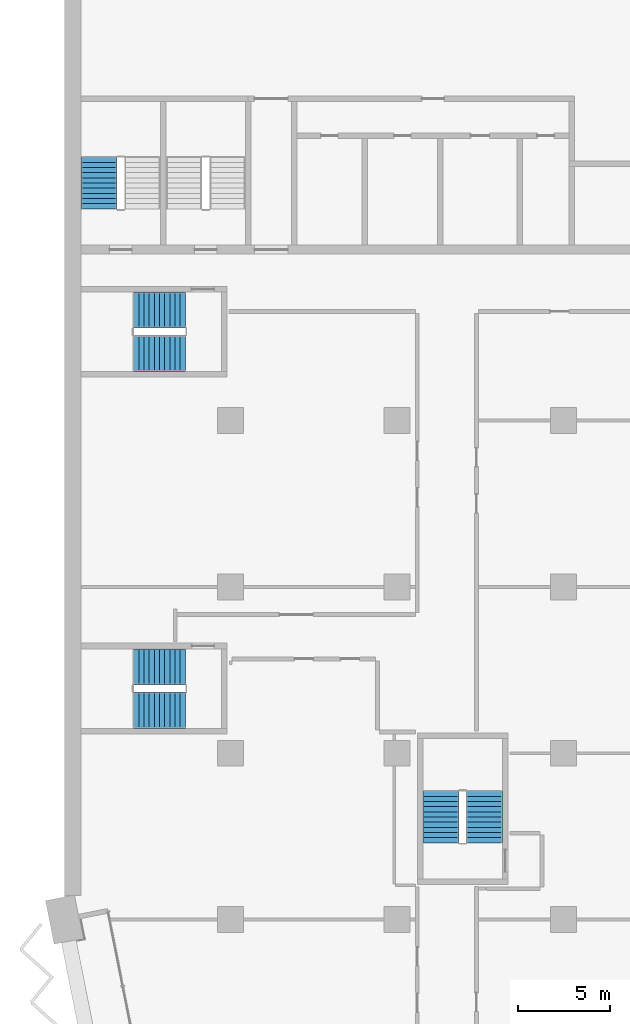
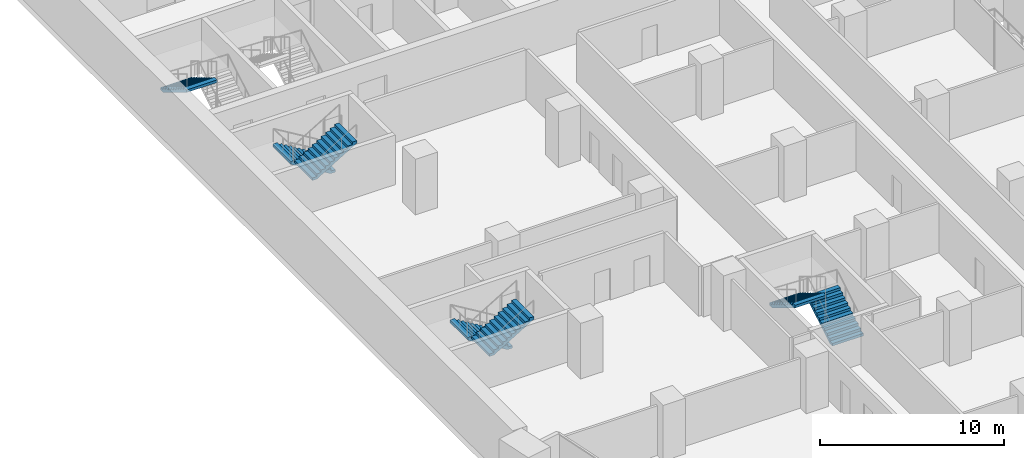
# One storey, part 20 of 29: 7 stair flights, 4 elements without a shape of their own.
"""IFC4 building model written with IfcOpenShell, lengths in metres."""

from ifc_helpers import new_model, si_unit, direction, frame, origin, place, context, subcontext, project, spatial, polyline, outline, extrude, material, type_object, element, aggregate, save


model = new_model("IFC4")

# Units and contexts
model_context = context("Model", 3, precision=1e-05, world=origin(), true_north=direction((0.0, 1.0)))
body_context = subcontext(model_context, "Body", "Model", "MODEL_VIEW")
ifc_project = project(units=[si_unit("LENGTHUNIT", "METRE"), si_unit("AREAUNIT", "SQUARE_METRE"), si_unit("VOLUMEUNIT", "CUBIC_METRE"), si_unit("PLANEANGLEUNIT", "RADIAN"), si_unit("MASSUNIT", "GRAM", prefix="KILO")], contexts=[model_context])

# Site, building, storey
site_placement = place(None, origin())
site = spatial("IfcSite", under=ifc_project, at=site_placement, CompositionType="ELEMENT")
building_placement = place(site_placement, origin())
building = spatial("IfcBuilding", under=site, at=building_placement, Name="Hunhe Ridgeline Campus", CompositionType="ELEMENT")
storey_placement = place(building_placement, frame((0.0, 0.0, 54.300048828125)))
storey = spatial("IfcBuildingStorey", under=building, at=storey_placement, Name="L12", CompositionType="ELEMENT", Elevation=54.300048828125)

# Stair, stair flight
ifc_material = material(Name="Concrete C40", Category="concrete")
stair_type = type_object("IfcStairType", Name="Reinforced concrete dog-leg stair 1950 Concrete C40", PredefinedType="HALF_TURN_STAIR", material=ifc_material)
stair_1_placement = place(storey_placement, origin())
stair_1 = element("IfcStair", 1, at=stair_1_placement, inside=storey, type_object=stair_type, Name="L12 S3", PredefinedType="HALF_TURN_STAIR")
stair_flight_type = type_object("IfcStairFlightType", Name="Reinforced concrete stair flight 1950 Concrete C40", PredefinedType="STRAIGHT", material=ifc_material)
stair_flight_1_placement = place(storey_placement, frame((1.875, 68.25, 1.849853515625), z_axis=(0.0, 0.0, 1.0), x_axis=(0.0, -1.0, 0.0)))
stair_flight_1 = element("IfcStairFlight", 2, at=stair_flight_1_placement, type_object=stair_flight_type, Name="ST3 flight 2", NumberOfRisers=11, NumberOfTreads=10, PredefinedType="STRAIGHT", RiserHeight=0.168181818, TreadLength=0.28, context=body_context, shape_type="SweptSolid", body=[
    extrude(outline(polyline([(0.0, 0.0), (0.0, 0.168212890625), (0.280029296875, 0.168212890625), (0.280029296875, 0.33642578125), (0.56005859375, 0.33642578125), (0.56005859375, 0.504638671875), (0.840087890625, 0.504638671875), (0.840087890625, 0.672607421875), (1.1201171875, 0.672607421875), (1.1201171875, 0.8408203125), (1.39990234375, 0.8408203125), (1.39990234375, 1.009033203125), (1.679931640625, 1.009033203125), (1.679931640625, 1.17724609375), (1.9599609375, 1.17724609375), (1.9599609375, 1.345458984375), (2.239990234375, 1.345458984375), (2.239990234375, 1.513671875), (2.52001953125, 1.513671875), (2.52001953125, 1.681884765625), (2.800048828125, 1.681884765625), (2.800048828125, 1.85009765625), (2.800048828125, 1.5068359375), (0.291015625, 0.0), (0.0, 0.0)])), frame((0.0, 0.97509765625, 0.0), z_axis=(0.0, -1.0, 0.0), x_axis=(1.0, 0.0, 0.0)), (0.0, 0.0, 1.0), 1.949951171875),
    extrude(outline(polyline([(0.030029296875, 0.030029296875), (0.030029296875, 0.13818359375), (0.31005859375, 0.13818359375), (0.31005859375, 0.306396484375), (0.590087890625, 0.306396484375), (0.590087890625, 0.474609375), (0.8701171875, 0.474609375), (0.8701171875, 0.642578125), (1.14990234375, 0.642578125), (1.14990234375, 0.810791015625), (1.429931640625, 0.810791015625), (1.429931640625, 0.97900390625), (1.7099609375, 0.97900390625), (1.7099609375, 1.147216796875), (1.989990234375, 1.147216796875), (1.989990234375, 1.3154296875), (2.27001953125, 1.3154296875), (2.27001953125, 1.483642578125), (2.550048828125, 1.483642578125), (2.550048828125, 1.65185546875), (2.77001953125, 1.65185546875), (2.77001953125, 1.52392578125), (0.28271484375, 0.030029296875), (0.030029296875, 0.030029296875)])), frame((0.0, -0.070068359375, 0.0), z_axis=(0.0, -1.0, 0.0), x_axis=(1.0, 0.0, 0.0)), (0.0, 0.0, 1.0), 0.019775390625),
    extrude(outline(polyline([(0.030029296875, 0.030029296875), (0.030029296875, 0.13818359375), (0.31005859375, 0.13818359375), (0.31005859375, 0.306396484375), (0.590087890625, 0.306396484375), (0.590087890625, 0.474609375), (0.8701171875, 0.474609375), (0.8701171875, 0.642578125), (1.14990234375, 0.642578125), (1.14990234375, 0.810791015625), (1.429931640625, 0.810791015625), (1.429931640625, 0.97900390625), (1.7099609375, 0.97900390625), (1.7099609375, 1.147216796875), (1.989990234375, 1.147216796875), (1.989990234375, 1.3154296875), (2.27001953125, 1.3154296875), (2.27001953125, 1.483642578125), (2.550048828125, 1.483642578125), (2.550048828125, 1.65185546875), (2.77001953125, 1.65185546875), (2.77001953125, 1.52392578125), (0.28271484375, 0.030029296875), (0.030029296875, 0.030029296875)])), frame((0.0, 0.010009765625, 0.0), z_axis=(0.0, -1.0, 0.0), x_axis=(1.0, 0.0, 0.0)), (0.0, 0.0, 1.0), 0.019775390625),
    extrude(outline(polyline([(0.030029296875, 0.030029296875), (0.030029296875, 0.13818359375), (0.31005859375, 0.13818359375), (0.31005859375, 0.306396484375), (0.590087890625, 0.306396484375), (0.590087890625, 0.474609375), (0.8701171875, 0.474609375), (0.8701171875, 0.642578125), (1.14990234375, 0.642578125), (1.14990234375, 0.810791015625), (1.429931640625, 0.810791015625), (1.429931640625, 0.97900390625), (1.7099609375, 0.97900390625), (1.7099609375, 1.147216796875), (1.989990234375, 1.147216796875), (1.989990234375, 1.3154296875), (2.27001953125, 1.3154296875), (2.27001953125, 1.483642578125), (2.550048828125, 1.483642578125), (2.550048828125, 1.65185546875), (2.77001953125, 1.65185546875), (2.77001953125, 1.52392578125), (0.28271484375, 0.030029296875), (0.030029296875, 0.030029296875)])), frame((0.0, 0.090087890625, 0.0), z_axis=(0.0, -1.0, 0.0), x_axis=(1.0, 0.0, 0.0)), (0.0, 0.0, 1.0), 0.019775390625),
])
aggregate(stair_1, [stair_flight_1])

# Stair, stair flights
stair_2_placement = place(storey_placement, origin())
stair_2 = element("IfcStair", 3, at=stair_2_placement, inside=storey, type_object=stair_type, Name="L12 W3", PredefinedType="HALF_TURN_STAIR")
stair_flight_2_placement = place(storey_placement, frame((22.72509765625, 31.14990234375, 0.0), z_axis=(0.0, 0.0, 1.0), x_axis=(0.0, 1.0, 0.0)))
stair_flight_2 = element("IfcStairFlight", 4, at=stair_flight_2_placement, type_object=stair_flight_type, Name="ST9 flight 1", NumberOfRisers=11, NumberOfTreads=10, PredefinedType="STRAIGHT", RiserHeight=0.168181818, TreadLength=0.28, context=body_context, shape_type="SweptSolid", body=[
    extrude(outline(polyline([(0.0, 0.0), (0.0, 0.168212890625), (0.280029296875, 0.168212890625), (0.280029296875, 0.33642578125), (0.56005859375, 0.33642578125), (0.56005859375, 0.504638671875), (0.840087890625, 0.504638671875), (0.840087890625, 0.672607421875), (1.1201171875, 0.672607421875), (1.1201171875, 0.8408203125), (1.39990234375, 0.8408203125), (1.39990234375, 1.009033203125), (1.679931640625, 1.009033203125), (1.679931640625, 1.17724609375), (1.9599609375, 1.17724609375), (1.9599609375, 1.345458984375), (2.239990234375, 1.345458984375), (2.239990234375, 1.513671875), (2.52001953125, 1.513671875), (2.52001953125, 1.681884765625), (2.800048828125, 1.681884765625), (2.800048828125, 1.85009765625), (2.800048828125, 1.5068359375), (0.291015625, 0.0), (0.0, 0.0)])), frame((0.0, 0.97509765625, 0.0), z_axis=(0.0, -1.0, 0.0), x_axis=(1.0, 0.0, 0.0)), (0.0, 0.0, 1.0), 1.949951171875),
    extrude(outline(polyline([(0.030029296875, 0.030029296875), (0.030029296875, 0.13818359375), (0.31005859375, 0.13818359375), (0.31005859375, 0.306396484375), (0.590087890625, 0.306396484375), (0.590087890625, 0.474609375), (0.8701171875, 0.474609375), (0.8701171875, 0.642578125), (1.14990234375, 0.642578125), (1.14990234375, 0.810791015625), (1.429931640625, 0.810791015625), (1.429931640625, 0.97900390625), (1.7099609375, 0.97900390625), (1.7099609375, 1.147216796875), (1.989990234375, 1.147216796875), (1.989990234375, 1.3154296875), (2.27001953125, 1.3154296875), (2.27001953125, 1.483642578125), (2.550048828125, 1.483642578125), (2.550048828125, 1.65185546875), (2.77001953125, 1.65185546875), (2.77001953125, 1.52392578125), (0.28271484375, 0.030029296875), (0.030029296875, 0.030029296875)])), frame((0.0, -0.070068359375, 0.0), z_axis=(0.0, -1.0, 0.0), x_axis=(1.0, 0.0, 0.0)), (0.0, 0.0, 1.0), 0.019775390625),
    extrude(outline(polyline([(0.030029296875, 0.030029296875), (0.030029296875, 0.13818359375), (0.31005859375, 0.13818359375), (0.31005859375, 0.306396484375), (0.590087890625, 0.306396484375), (0.590087890625, 0.474609375), (0.8701171875, 0.474609375), (0.8701171875, 0.642578125), (1.14990234375, 0.642578125), (1.14990234375, 0.810791015625), (1.429931640625, 0.810791015625), (1.429931640625, 0.97900390625), (1.7099609375, 0.97900390625), (1.7099609375, 1.147216796875), (1.989990234375, 1.147216796875), (1.989990234375, 1.3154296875), (2.27001953125, 1.3154296875), (2.27001953125, 1.483642578125), (2.550048828125, 1.483642578125), (2.550048828125, 1.65185546875), (2.77001953125, 1.65185546875), (2.77001953125, 1.52392578125), (0.28271484375, 0.030029296875), (0.030029296875, 0.030029296875)])), frame((0.0, 0.010009765625, 0.0), z_axis=(0.0, -1.0, 0.0), x_axis=(1.0, 0.0, 0.0)), (0.0, 0.0, 1.0), 0.019775390625),
    extrude(outline(polyline([(0.030029296875, 0.030029296875), (0.030029296875, 0.13818359375), (0.31005859375, 0.13818359375), (0.31005859375, 0.306396484375), (0.590087890625, 0.306396484375), (0.590087890625, 0.474609375), (0.8701171875, 0.474609375), (0.8701171875, 0.642578125), (1.14990234375, 0.642578125), (1.14990234375, 0.810791015625), (1.429931640625, 0.810791015625), (1.429931640625, 0.97900390625), (1.7099609375, 0.97900390625), (1.7099609375, 1.147216796875), (1.989990234375, 1.147216796875), (1.989990234375, 1.3154296875), (2.27001953125, 1.3154296875), (2.27001953125, 1.483642578125), (2.550048828125, 1.483642578125), (2.550048828125, 1.65185546875), (2.77001953125, 1.65185546875), (2.77001953125, 1.52392578125), (0.28271484375, 0.030029296875), (0.030029296875, 0.030029296875)])), frame((0.0, 0.090087890625, 0.0), z_axis=(0.0, -1.0, 0.0), x_axis=(1.0, 0.0, 0.0)), (0.0, 0.0, 1.0), 0.019775390625),
])
stair_flight_3_placement = place(storey_placement, frame((20.375, 33.949951171875, 1.849853515625), z_axis=(0.0, 0.0, 1.0), x_axis=(0.0, -1.0, 0.0)))
stair_flight_3 = element("IfcStairFlight", 5, at=stair_flight_3_placement, type_object=stair_flight_type, Name="ST9 flight 2", NumberOfRisers=11, NumberOfTreads=10, PredefinedType="STRAIGHT", RiserHeight=0.168181818, TreadLength=0.28, context=body_context, shape_type="SweptSolid", body=[
    extrude(outline(polyline([(0.0, 0.0), (0.0, 0.168212890625), (0.280029296875, 0.168212890625), (0.280029296875, 0.33642578125), (0.56005859375, 0.33642578125), (0.56005859375, 0.504638671875), (0.840087890625, 0.504638671875), (0.840087890625, 0.672607421875), (1.1201171875, 0.672607421875), (1.1201171875, 0.8408203125), (1.39990234375, 0.8408203125), (1.39990234375, 1.009033203125), (1.679931640625, 1.009033203125), (1.679931640625, 1.17724609375), (1.9599609375, 1.17724609375), (1.9599609375, 1.345458984375), (2.239990234375, 1.345458984375), (2.239990234375, 1.513671875), (2.52001953125, 1.513671875), (2.52001953125, 1.681884765625), (2.800048828125, 1.681884765625), (2.800048828125, 1.85009765625), (2.800048828125, 1.5068359375), (0.291015625, 0.0), (0.0, 0.0)])), frame((0.0, 0.97509765625, 0.0), z_axis=(0.0, -1.0, 0.0), x_axis=(1.0, 0.0, 0.0)), (0.0, 0.0, 1.0), 1.949951171875),
    extrude(outline(polyline([(0.030029296875, 0.030029296875), (0.030029296875, 0.13818359375), (0.31005859375, 0.13818359375), (0.31005859375, 0.306396484375), (0.590087890625, 0.306396484375), (0.590087890625, 0.474609375), (0.8701171875, 0.474609375), (0.8701171875, 0.642578125), (1.14990234375, 0.642578125), (1.14990234375, 0.810791015625), (1.429931640625, 0.810791015625), (1.429931640625, 0.97900390625), (1.7099609375, 0.97900390625), (1.7099609375, 1.147216796875), (1.989990234375, 1.147216796875), (1.989990234375, 1.3154296875), (2.27001953125, 1.3154296875), (2.27001953125, 1.483642578125), (2.550048828125, 1.483642578125), (2.550048828125, 1.65185546875), (2.77001953125, 1.65185546875), (2.77001953125, 1.52392578125), (0.28271484375, 0.030029296875), (0.030029296875, 0.030029296875)])), frame((0.0, -0.070068359375, 0.0), z_axis=(0.0, -1.0, 0.0), x_axis=(1.0, 0.0, 0.0)), (0.0, 0.0, 1.0), 0.019775390625),
    extrude(outline(polyline([(0.030029296875, 0.030029296875), (0.030029296875, 0.13818359375), (0.31005859375, 0.13818359375), (0.31005859375, 0.306396484375), (0.590087890625, 0.306396484375), (0.590087890625, 0.474609375), (0.8701171875, 0.474609375), (0.8701171875, 0.642578125), (1.14990234375, 0.642578125), (1.14990234375, 0.810791015625), (1.429931640625, 0.810791015625), (1.429931640625, 0.97900390625), (1.7099609375, 0.97900390625), (1.7099609375, 1.147216796875), (1.989990234375, 1.147216796875), (1.989990234375, 1.3154296875), (2.27001953125, 1.3154296875), (2.27001953125, 1.483642578125), (2.550048828125, 1.483642578125), (2.550048828125, 1.65185546875), (2.77001953125, 1.65185546875), (2.77001953125, 1.52392578125), (0.28271484375, 0.030029296875), (0.030029296875, 0.030029296875)])), frame((0.0, 0.010009765625, 0.0), z_axis=(0.0, -1.0, 0.0), x_axis=(1.0, 0.0, 0.0)), (0.0, 0.0, 1.0), 0.019775390625),
    extrude(outline(polyline([(0.030029296875, 0.030029296875), (0.030029296875, 0.13818359375), (0.31005859375, 0.13818359375), (0.31005859375, 0.306396484375), (0.590087890625, 0.306396484375), (0.590087890625, 0.474609375), (0.8701171875, 0.474609375), (0.8701171875, 0.642578125), (1.14990234375, 0.642578125), (1.14990234375, 0.810791015625), (1.429931640625, 0.810791015625), (1.429931640625, 0.97900390625), (1.7099609375, 0.97900390625), (1.7099609375, 1.147216796875), (1.989990234375, 1.147216796875), (1.989990234375, 1.3154296875), (2.27001953125, 1.3154296875), (2.27001953125, 1.483642578125), (2.550048828125, 1.483642578125), (2.550048828125, 1.65185546875), (2.77001953125, 1.65185546875), (2.77001953125, 1.52392578125), (0.28271484375, 0.030029296875), (0.030029296875, 0.030029296875)])), frame((0.0, 0.090087890625, 0.0), z_axis=(0.0, -1.0, 0.0), x_axis=(1.0, 0.0, 0.0)), (0.0, 0.0, 1.0), 0.019775390625),
])
aggregate(stair_2, [stair_flight_2, stair_flight_3])

stair_3_placement = place(storey_placement, origin())
stair_3 = element("IfcStair", 6, at=stair_3_placement, inside=storey, type_object=stair_type, Name="L12 W1", PredefinedType="HALF_TURN_STAIR")
stair_flight_4_placement = place(storey_placement, frame((6.550048828125, 40.675048828125, 0.0), z_axis=(0.0, 0.0, 1.0), x_axis=(-1.0, 0.0, 0.0)))
stair_flight_4 = element("IfcStairFlight", 7, at=stair_flight_4_placement, type_object=stair_flight_type, Name="ST11 flight 1", NumberOfRisers=11, NumberOfTreads=10, PredefinedType="STRAIGHT", RiserHeight=0.168181818, TreadLength=0.28, context=body_context, shape_type="SweptSolid", body=[
    extrude(outline(polyline([(0.0, 0.0), (0.0, 0.168212890625), (0.280029296875, 0.168212890625), (0.280029296875, 0.33642578125), (0.56005859375, 0.33642578125), (0.56005859375, 0.504638671875), (0.840087890625, 0.504638671875), (0.840087890625, 0.672607421875), (1.1201171875, 0.672607421875), (1.1201171875, 0.8408203125), (1.39990234375, 0.8408203125), (1.39990234375, 1.009033203125), (1.679931640625, 1.009033203125), (1.679931640625, 1.17724609375), (1.9599609375, 1.17724609375), (1.9599609375, 1.345458984375), (2.239990234375, 1.345458984375), (2.239990234375, 1.513671875), (2.52001953125, 1.513671875), (2.52001953125, 1.681884765625), (2.800048828125, 1.681884765625), (2.800048828125, 1.85009765625), (2.800048828125, 1.5068359375), (0.291015625, 0.0), (0.0, 0.0)])), frame((0.0, 0.97509765625, 0.0), z_axis=(0.0, -1.0, 0.0), x_axis=(1.0, 0.0, 0.0)), (0.0, 0.0, 1.0), 1.949951171875),
    extrude(outline(polyline([(0.030029296875, 0.030029296875), (0.030029296875, 0.13818359375), (0.31005859375, 0.13818359375), (0.31005859375, 0.306396484375), (0.590087890625, 0.306396484375), (0.590087890625, 0.474609375), (0.8701171875, 0.474609375), (0.8701171875, 0.642578125), (1.14990234375, 0.642578125), (1.14990234375, 0.810791015625), (1.429931640625, 0.810791015625), (1.429931640625, 0.97900390625), (1.7099609375, 0.97900390625), (1.7099609375, 1.147216796875), (1.989990234375, 1.147216796875), (1.989990234375, 1.3154296875), (2.27001953125, 1.3154296875), (2.27001953125, 1.483642578125), (2.550048828125, 1.483642578125), (2.550048828125, 1.65185546875), (2.77001953125, 1.65185546875), (2.77001953125, 1.52392578125), (0.28271484375, 0.030029296875), (0.030029296875, 0.030029296875)])), frame((0.0, -0.070068359375, 0.0), z_axis=(0.0, -1.0, 0.0), x_axis=(1.0, 0.0, 0.0)), (0.0, 0.0, 1.0), 0.019775390625),
    extrude(outline(polyline([(0.030029296875, 0.030029296875), (0.030029296875, 0.13818359375), (0.31005859375, 0.13818359375), (0.31005859375, 0.306396484375), (0.590087890625, 0.306396484375), (0.590087890625, 0.474609375), (0.8701171875, 0.474609375), (0.8701171875, 0.642578125), (1.14990234375, 0.642578125), (1.14990234375, 0.810791015625), (1.429931640625, 0.810791015625), (1.429931640625, 0.97900390625), (1.7099609375, 0.97900390625), (1.7099609375, 1.147216796875), (1.989990234375, 1.147216796875), (1.989990234375, 1.3154296875), (2.27001953125, 1.3154296875), (2.27001953125, 1.483642578125), (2.550048828125, 1.483642578125), (2.550048828125, 1.65185546875), (2.77001953125, 1.65185546875), (2.77001953125, 1.52392578125), (0.28271484375, 0.030029296875), (0.030029296875, 0.030029296875)])), frame((0.0, 0.010009765625, 0.0), z_axis=(0.0, -1.0, 0.0), x_axis=(1.0, 0.0, 0.0)), (0.0, 0.0, 1.0), 0.019775390625),
    extrude(outline(polyline([(0.030029296875, 0.030029296875), (0.030029296875, 0.13818359375), (0.31005859375, 0.13818359375), (0.31005859375, 0.306396484375), (0.590087890625, 0.306396484375), (0.590087890625, 0.474609375), (0.8701171875, 0.474609375), (0.8701171875, 0.642578125), (1.14990234375, 0.642578125), (1.14990234375, 0.810791015625), (1.429931640625, 0.810791015625), (1.429931640625, 0.97900390625), (1.7099609375, 0.97900390625), (1.7099609375, 1.147216796875), (1.989990234375, 1.147216796875), (1.989990234375, 1.3154296875), (2.27001953125, 1.3154296875), (2.27001953125, 1.483642578125), (2.550048828125, 1.483642578125), (2.550048828125, 1.65185546875), (2.77001953125, 1.65185546875), (2.77001953125, 1.52392578125), (0.28271484375, 0.030029296875), (0.030029296875, 0.030029296875)])), frame((0.0, 0.090087890625, 0.0), z_axis=(0.0, -1.0, 0.0), x_axis=(1.0, 0.0, 0.0)), (0.0, 0.0, 1.0), 0.019775390625),
])
stair_flight_5_placement = place(storey_placement, frame((3.75, 38.324951171875, 1.849853515625), z_axis=(0.0, 0.0, 1.0), x_axis=(1.0, 0.0, 0.0)))
stair_flight_5 = element("IfcStairFlight", 8, at=stair_flight_5_placement, type_object=stair_flight_type, Name="ST11 flight 2", NumberOfRisers=11, NumberOfTreads=10, PredefinedType="STRAIGHT", RiserHeight=0.168181818, TreadLength=0.28, context=body_context, shape_type="SweptSolid", body=[
    extrude(outline(polyline([(0.0, 0.0), (0.0, 0.168212890625), (0.280029296875, 0.168212890625), (0.280029296875, 0.33642578125), (0.56005859375, 0.33642578125), (0.56005859375, 0.504638671875), (0.840087890625, 0.504638671875), (0.840087890625, 0.672607421875), (1.1201171875, 0.672607421875), (1.1201171875, 0.8408203125), (1.39990234375, 0.8408203125), (1.39990234375, 1.009033203125), (1.679931640625, 1.009033203125), (1.679931640625, 1.17724609375), (1.9599609375, 1.17724609375), (1.9599609375, 1.345458984375), (2.239990234375, 1.345458984375), (2.239990234375, 1.513671875), (2.52001953125, 1.513671875), (2.52001953125, 1.681884765625), (2.800048828125, 1.681884765625), (2.800048828125, 1.85009765625), (2.800048828125, 1.5068359375), (0.291015625, 0.0), (0.0, 0.0)])), frame((0.0, 0.97509765625, 0.0), z_axis=(0.0, -1.0, 0.0), x_axis=(1.0, 0.0, 0.0)), (0.0, 0.0, 1.0), 1.949951171875),
    extrude(outline(polyline([(0.030029296875, 0.030029296875), (0.030029296875, 0.13818359375), (0.31005859375, 0.13818359375), (0.31005859375, 0.306396484375), (0.590087890625, 0.306396484375), (0.590087890625, 0.474609375), (0.8701171875, 0.474609375), (0.8701171875, 0.642578125), (1.14990234375, 0.642578125), (1.14990234375, 0.810791015625), (1.429931640625, 0.810791015625), (1.429931640625, 0.97900390625), (1.7099609375, 0.97900390625), (1.7099609375, 1.147216796875), (1.989990234375, 1.147216796875), (1.989990234375, 1.3154296875), (2.27001953125, 1.3154296875), (2.27001953125, 1.483642578125), (2.550048828125, 1.483642578125), (2.550048828125, 1.65185546875), (2.77001953125, 1.65185546875), (2.77001953125, 1.52392578125), (0.28271484375, 0.030029296875), (0.030029296875, 0.030029296875)])), frame((0.0, -0.070068359375, 0.0), z_axis=(0.0, -1.0, 0.0), x_axis=(1.0, 0.0, 0.0)), (0.0, 0.0, 1.0), 0.019775390625),
    extrude(outline(polyline([(0.030029296875, 0.030029296875), (0.030029296875, 0.13818359375), (0.31005859375, 0.13818359375), (0.31005859375, 0.306396484375), (0.590087890625, 0.306396484375), (0.590087890625, 0.474609375), (0.8701171875, 0.474609375), (0.8701171875, 0.642578125), (1.14990234375, 0.642578125), (1.14990234375, 0.810791015625), (1.429931640625, 0.810791015625), (1.429931640625, 0.97900390625), (1.7099609375, 0.97900390625), (1.7099609375, 1.147216796875), (1.989990234375, 1.147216796875), (1.989990234375, 1.3154296875), (2.27001953125, 1.3154296875), (2.27001953125, 1.483642578125), (2.550048828125, 1.483642578125), (2.550048828125, 1.65185546875), (2.77001953125, 1.65185546875), (2.77001953125, 1.52392578125), (0.28271484375, 0.030029296875), (0.030029296875, 0.030029296875)])), frame((0.0, 0.010009765625, 0.0), z_axis=(0.0, -1.0, 0.0), x_axis=(1.0, 0.0, 0.0)), (0.0, 0.0, 1.0), 0.019775390625),
    extrude(outline(polyline([(0.030029296875, 0.030029296875), (0.030029296875, 0.13818359375), (0.31005859375, 0.13818359375), (0.31005859375, 0.306396484375), (0.590087890625, 0.306396484375), (0.590087890625, 0.474609375), (0.8701171875, 0.474609375), (0.8701171875, 0.642578125), (1.14990234375, 0.642578125), (1.14990234375, 0.810791015625), (1.429931640625, 0.810791015625), (1.429931640625, 0.97900390625), (1.7099609375, 0.97900390625), (1.7099609375, 1.147216796875), (1.989990234375, 1.147216796875), (1.989990234375, 1.3154296875), (2.27001953125, 1.3154296875), (2.27001953125, 1.483642578125), (2.550048828125, 1.483642578125), (2.550048828125, 1.65185546875), (2.77001953125, 1.65185546875), (2.77001953125, 1.52392578125), (0.28271484375, 0.030029296875), (0.030029296875, 0.030029296875)])), frame((0.0, 0.090087890625, 0.0), z_axis=(0.0, -1.0, 0.0), x_axis=(1.0, 0.0, 0.0)), (0.0, 0.0, 1.0), 0.019775390625),
])
aggregate(stair_3, [stair_flight_4, stair_flight_5])

stair_4_placement = place(storey_placement, origin())
stair_4 = element("IfcStair", 9, at=stair_4_placement, inside=storey, type_object=stair_type, Name="L12 W2", PredefinedType="HALF_TURN_STAIR")
stair_flight_6_placement = place(storey_placement, frame((6.550048828125, 59.97509765625, 0.0), z_axis=(0.0, 0.0, 1.0), x_axis=(-1.0, 0.0, 0.0)))
stair_flight_6 = element("IfcStairFlight", 10, at=stair_flight_6_placement, type_object=stair_flight_type, Name="ST12 flight 1", NumberOfRisers=11, NumberOfTreads=10, PredefinedType="STRAIGHT", RiserHeight=0.168181818, TreadLength=0.28, context=body_context, shape_type="SweptSolid", body=[
    extrude(outline(polyline([(0.0, 0.0), (0.0, 0.168212890625), (0.280029296875, 0.168212890625), (0.280029296875, 0.33642578125), (0.56005859375, 0.33642578125), (0.56005859375, 0.504638671875), (0.840087890625, 0.504638671875), (0.840087890625, 0.672607421875), (1.1201171875, 0.672607421875), (1.1201171875, 0.8408203125), (1.39990234375, 0.8408203125), (1.39990234375, 1.009033203125), (1.679931640625, 1.009033203125), (1.679931640625, 1.17724609375), (1.9599609375, 1.17724609375), (1.9599609375, 1.345458984375), (2.239990234375, 1.345458984375), (2.239990234375, 1.513671875), (2.52001953125, 1.513671875), (2.52001953125, 1.681884765625), (2.800048828125, 1.681884765625), (2.800048828125, 1.85009765625), (2.800048828125, 1.5068359375), (0.291015625, 0.0), (0.0, 0.0)])), frame((0.0, 0.97509765625, 0.0), z_axis=(0.0, -1.0, 0.0), x_axis=(1.0, 0.0, 0.0)), (0.0, 0.0, 1.0), 1.949951171875),
    extrude(outline(polyline([(0.030029296875, 0.030029296875), (0.030029296875, 0.13818359375), (0.31005859375, 0.13818359375), (0.31005859375, 0.306396484375), (0.590087890625, 0.306396484375), (0.590087890625, 0.474609375), (0.8701171875, 0.474609375), (0.8701171875, 0.642578125), (1.14990234375, 0.642578125), (1.14990234375, 0.810791015625), (1.429931640625, 0.810791015625), (1.429931640625, 0.97900390625), (1.7099609375, 0.97900390625), (1.7099609375, 1.147216796875), (1.989990234375, 1.147216796875), (1.989990234375, 1.3154296875), (2.27001953125, 1.3154296875), (2.27001953125, 1.483642578125), (2.550048828125, 1.483642578125), (2.550048828125, 1.65185546875), (2.77001953125, 1.65185546875), (2.77001953125, 1.52392578125), (0.28271484375, 0.030029296875), (0.030029296875, 0.030029296875)])), frame((0.0, -0.070068359375, 0.0), z_axis=(0.0, -1.0, 0.0), x_axis=(1.0, 0.0, 0.0)), (0.0, 0.0, 1.0), 0.019775390625),
    extrude(outline(polyline([(0.030029296875, 0.030029296875), (0.030029296875, 0.13818359375), (0.31005859375, 0.13818359375), (0.31005859375, 0.306396484375), (0.590087890625, 0.306396484375), (0.590087890625, 0.474609375), (0.8701171875, 0.474609375), (0.8701171875, 0.642578125), (1.14990234375, 0.642578125), (1.14990234375, 0.810791015625), (1.429931640625, 0.810791015625), (1.429931640625, 0.97900390625), (1.7099609375, 0.97900390625), (1.7099609375, 1.147216796875), (1.989990234375, 1.147216796875), (1.989990234375, 1.3154296875), (2.27001953125, 1.3154296875), (2.27001953125, 1.483642578125), (2.550048828125, 1.483642578125), (2.550048828125, 1.65185546875), (2.77001953125, 1.65185546875), (2.77001953125, 1.52392578125), (0.28271484375, 0.030029296875), (0.030029296875, 0.030029296875)])), frame((0.0, 0.010009765625, 0.0), z_axis=(0.0, -1.0, 0.0), x_axis=(1.0, 0.0, 0.0)), (0.0, 0.0, 1.0), 0.019775390625),
    extrude(outline(polyline([(0.030029296875, 0.030029296875), (0.030029296875, 0.13818359375), (0.31005859375, 0.13818359375), (0.31005859375, 0.306396484375), (0.590087890625, 0.306396484375), (0.590087890625, 0.474609375), (0.8701171875, 0.474609375), (0.8701171875, 0.642578125), (1.14990234375, 0.642578125), (1.14990234375, 0.810791015625), (1.429931640625, 0.810791015625), (1.429931640625, 0.97900390625), (1.7099609375, 0.97900390625), (1.7099609375, 1.147216796875), (1.989990234375, 1.147216796875), (1.989990234375, 1.3154296875), (2.27001953125, 1.3154296875), (2.27001953125, 1.483642578125), (2.550048828125, 1.483642578125), (2.550048828125, 1.65185546875), (2.77001953125, 1.65185546875), (2.77001953125, 1.52392578125), (0.28271484375, 0.030029296875), (0.030029296875, 0.030029296875)])), frame((0.0, 0.090087890625, 0.0), z_axis=(0.0, -1.0, 0.0), x_axis=(1.0, 0.0, 0.0)), (0.0, 0.0, 1.0), 0.019775390625),
])
stair_flight_7_placement = place(storey_placement, frame((3.75, 57.625, 1.849853515625), z_axis=(0.0, 0.0, 1.0), x_axis=(1.0, 0.0, 0.0)))
stair_flight_7 = element("IfcStairFlight", 11, at=stair_flight_7_placement, type_object=stair_flight_type, Name="ST12 flight 2", NumberOfRisers=11, NumberOfTreads=10, PredefinedType="STRAIGHT", RiserHeight=0.168181818, TreadLength=0.28, context=body_context, shape_type="SweptSolid", body=[
    extrude(outline(polyline([(0.0, 0.0), (0.0, 0.168212890625), (0.280029296875, 0.168212890625), (0.280029296875, 0.33642578125), (0.56005859375, 0.33642578125), (0.56005859375, 0.504638671875), (0.840087890625, 0.504638671875), (0.840087890625, 0.672607421875), (1.1201171875, 0.672607421875), (1.1201171875, 0.8408203125), (1.39990234375, 0.8408203125), (1.39990234375, 1.009033203125), (1.679931640625, 1.009033203125), (1.679931640625, 1.17724609375), (1.9599609375, 1.17724609375), (1.9599609375, 1.345458984375), (2.239990234375, 1.345458984375), (2.239990234375, 1.513671875), (2.52001953125, 1.513671875), (2.52001953125, 1.681884765625), (2.800048828125, 1.681884765625), (2.800048828125, 1.85009765625), (2.800048828125, 1.5068359375), (0.291015625, 0.0), (0.0, 0.0)])), frame((0.0, 0.97509765625, 0.0), z_axis=(0.0, -1.0, 0.0), x_axis=(1.0, 0.0, 0.0)), (0.0, 0.0, 1.0), 1.949951171875),
    extrude(outline(polyline([(0.030029296875, 0.030029296875), (0.030029296875, 0.13818359375), (0.31005859375, 0.13818359375), (0.31005859375, 0.306396484375), (0.590087890625, 0.306396484375), (0.590087890625, 0.474609375), (0.8701171875, 0.474609375), (0.8701171875, 0.642578125), (1.14990234375, 0.642578125), (1.14990234375, 0.810791015625), (1.429931640625, 0.810791015625), (1.429931640625, 0.97900390625), (1.7099609375, 0.97900390625), (1.7099609375, 1.147216796875), (1.989990234375, 1.147216796875), (1.989990234375, 1.3154296875), (2.27001953125, 1.3154296875), (2.27001953125, 1.483642578125), (2.550048828125, 1.483642578125), (2.550048828125, 1.65185546875), (2.77001953125, 1.65185546875), (2.77001953125, 1.52392578125), (0.28271484375, 0.030029296875), (0.030029296875, 0.030029296875)])), frame((0.0, -0.070068359375, 0.0), z_axis=(0.0, -1.0, 0.0), x_axis=(1.0, 0.0, 0.0)), (0.0, 0.0, 1.0), 0.019775390625),
    extrude(outline(polyline([(0.030029296875, 0.030029296875), (0.030029296875, 0.13818359375), (0.31005859375, 0.13818359375), (0.31005859375, 0.306396484375), (0.590087890625, 0.306396484375), (0.590087890625, 0.474609375), (0.8701171875, 0.474609375), (0.8701171875, 0.642578125), (1.14990234375, 0.642578125), (1.14990234375, 0.810791015625), (1.429931640625, 0.810791015625), (1.429931640625, 0.97900390625), (1.7099609375, 0.97900390625), (1.7099609375, 1.147216796875), (1.989990234375, 1.147216796875), (1.989990234375, 1.3154296875), (2.27001953125, 1.3154296875), (2.27001953125, 1.483642578125), (2.550048828125, 1.483642578125), (2.550048828125, 1.65185546875), (2.77001953125, 1.65185546875), (2.77001953125, 1.52392578125), (0.28271484375, 0.030029296875), (0.030029296875, 0.030029296875)])), frame((0.0, 0.010009765625, 0.0), z_axis=(0.0, -1.0, 0.0), x_axis=(1.0, 0.0, 0.0)), (0.0, 0.0, 1.0), 0.019775390625),
    extrude(outline(polyline([(0.030029296875, 0.030029296875), (0.030029296875, 0.13818359375), (0.31005859375, 0.13818359375), (0.31005859375, 0.306396484375), (0.590087890625, 0.306396484375), (0.590087890625, 0.474609375), (0.8701171875, 0.474609375), (0.8701171875, 0.642578125), (1.14990234375, 0.642578125), (1.14990234375, 0.810791015625), (1.429931640625, 0.810791015625), (1.429931640625, 0.97900390625), (1.7099609375, 0.97900390625), (1.7099609375, 1.147216796875), (1.989990234375, 1.147216796875), (1.989990234375, 1.3154296875), (2.27001953125, 1.3154296875), (2.27001953125, 1.483642578125), (2.550048828125, 1.483642578125), (2.550048828125, 1.65185546875), (2.77001953125, 1.65185546875), (2.77001953125, 1.52392578125), (0.28271484375, 0.030029296875), (0.030029296875, 0.030029296875)])), frame((0.0, 0.090087890625, 0.0), z_axis=(0.0, -1.0, 0.0), x_axis=(1.0, 0.0, 0.0)), (0.0, 0.0, 1.0), 0.019775390625),
])
aggregate(stair_4, [stair_flight_6, stair_flight_7])

save(model, "model.ifc")
